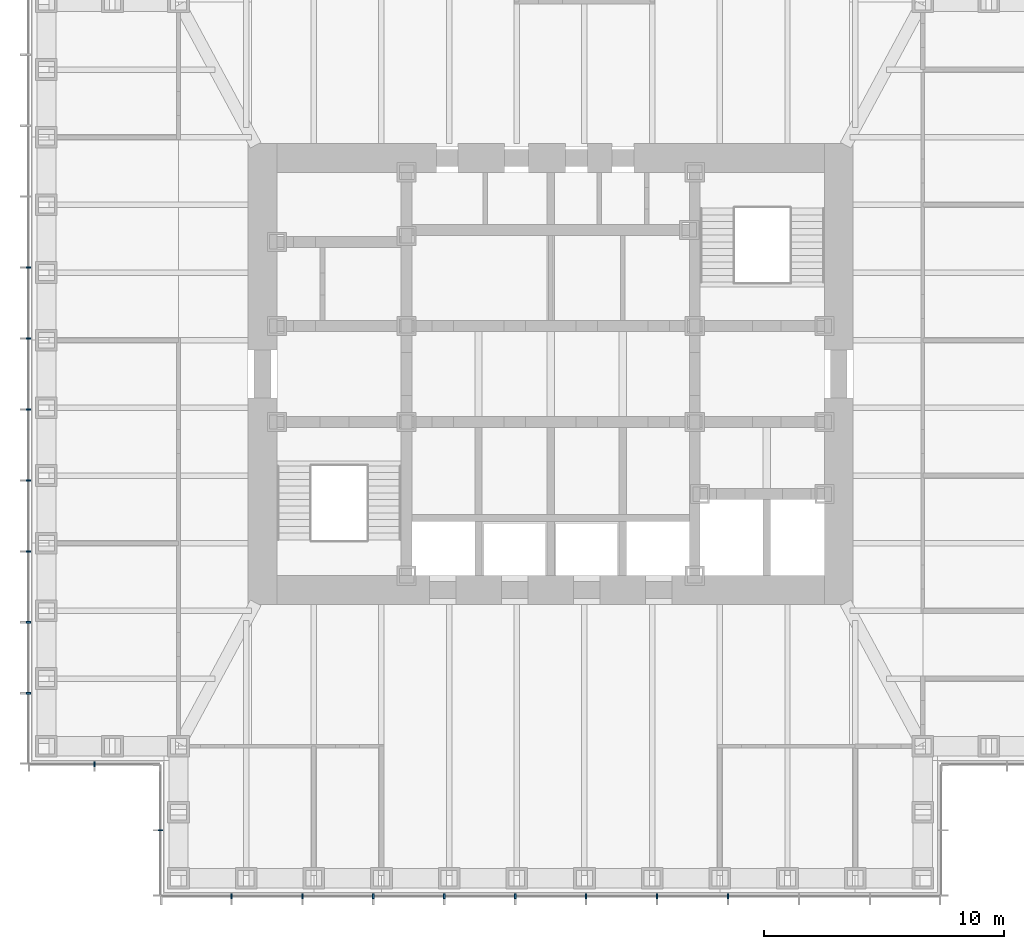
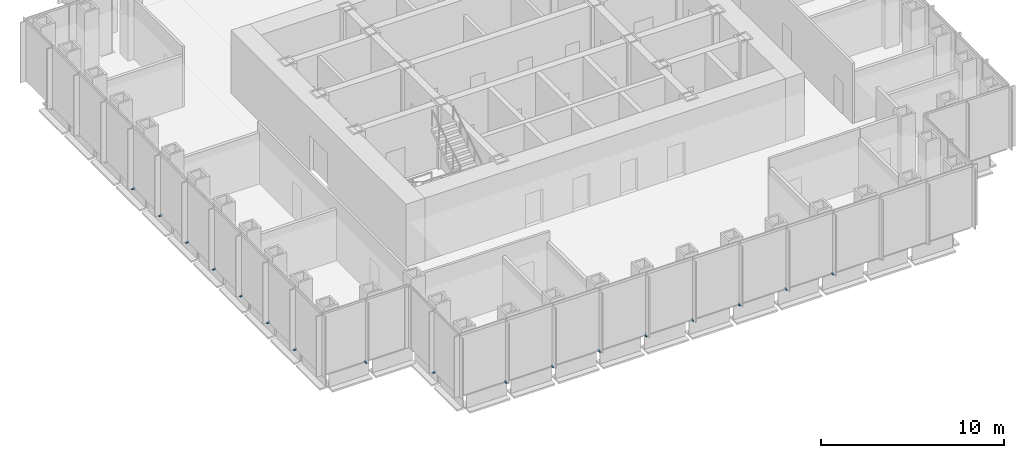
# One storey, part 11 of 16: 17 discrete accessories.
"""IFC4 building model written with IfcOpenShell, lengths in metres."""

from ifc_helpers import new_model, si_unit, direction, frame, origin, origin_2d, place, context, subcontext, project, spatial, rectangle, extrude, element, save


model = new_model("IFC4")

# Units and contexts
model_context = context("Model", 3, precision=1e-05, world=origin(), true_north=direction((0.0, 1.0)))
body_context = subcontext(model_context, "Body", "Model", "MODEL_VIEW")
ifc_project = project(units=[si_unit("LENGTHUNIT", "METRE"), si_unit("AREAUNIT", "SQUARE_METRE"), si_unit("VOLUMEUNIT", "CUBIC_METRE"), si_unit("PLANEANGLEUNIT", "RADIAN"), si_unit("MASSUNIT", "GRAM", prefix="KILO")], contexts=[model_context])

# Site, building, storey
site_placement = place(None, origin())
site = spatial("IfcSite", under=ifc_project, at=site_placement, CompositionType="ELEMENT")
building_placement = place(site_placement, origin())
building = spatial("IfcBuilding", under=site, at=building_placement, Name="Daluyong Arena Tower", CompositionType="ELEMENT")
storey_placement = place(building_placement, frame((0.0, 0.0, 202.300048828125)))
storey = spatial("IfcBuildingStorey", under=building, at=storey_placement, Name="L45", CompositionType="ELEMENT", Elevation=202.300048828125)

# Discrete accessories
for number, where, z_axis, x_axis, name in (
    (1, (42.70458984375, 58.25, -0.10009765625), (0.0, 0.0, 1.0), (1.0, 0.0, 0.0), "curtain wall L45 S anchor bracket 2"),
    (2, (45.6591796875, 58.25, -0.10009765625), (0.0, 0.0, 1.0), (1.0, 0.0, 0.0), "curtain wall L45 S anchor bracket 3"),
    (3, (48.613525390625, 58.25, -0.10009765625), (0.0, 0.0, 1.0), (1.0, 0.0, 0.0), "curtain wall L45 S anchor bracket 4"),
    (4, (51.568115234375, 58.25, -0.10009765625), (0.0, 0.0, 1.0), (1.0, 0.0, 0.0), "curtain wall L45 S anchor bracket 5"),
    (5, (54.522705078125, 58.25, -0.10009765625), (0.0, 0.0, 1.0), (1.0, 0.0, 0.0), "curtain wall L45 S anchor bracket 6"),
    (6, (57.477294921875, 58.25, -0.10009765625), (0.0, 0.0, 1.0), (1.0, 0.0, 0.0), "curtain wall L45 S anchor bracket 7"),
    (7, (60.431884765625, 58.25, -0.10009765625), (0.0, 0.0, 1.0), (1.0, 0.0, 0.0), "curtain wall L45 S anchor bracket 8"),
    (8, (63.386474609375, 58.25, -0.10009765625), (0.0, 0.0, 1.0), (1.0, 0.0, 0.0), "curtain wall L45 S anchor bracket 9"),
    (9, (34.25, 84.431884765625, -0.10009765625), (0.0, 0.0, 1.0), (0.0, -1.0, 0.0), "curtain wall L45 W anchor bracket 5"),
    (10, (34.25, 81.477294921875, -0.10009765625), (0.0, 0.0, 1.0), (0.0, -1.0, 0.0), "curtain wall L45 W anchor bracket 6"),
    (11, (34.25, 78.522705078125, -0.10009765625), (0.0, 0.0, 1.0), (0.0, -1.0, 0.0), "curtain wall L45 W anchor bracket 7"),
    (12, (34.25, 75.568115234375, -0.10009765625), (0.0, 0.0, 1.0), (0.0, -1.0, 0.0), "curtain wall L45 W anchor bracket 8"),
    (13, (34.25, 72.613525390625, -0.10009765625), (0.0, 0.0, 1.0), (0.0, -1.0, 0.0), "curtain wall L45 W anchor bracket 9"),
    (14, (34.25, 69.6591796875, -0.10009765625), (0.0, 0.0, 1.0), (0.0, -1.0, 0.0), "curtain wall L45 W anchor bracket 10"),
    (15, (34.25, 66.70458984375, -0.10009765625), (0.0, 0.0, 1.0), (0.0, -1.0, 0.0), "curtain wall L45 W anchor bracket 11"),
):
    element("IfcDiscreteAccessory", number, at=place(storey_placement, frame(where, z_axis=z_axis, x_axis=x_axis)), inside=storey, Name=name, PredefinedType="BRACKET", context=body_context, shape_type="SweptSolid", body=[
        extrude(rectangle(XDim=0.070068359375, YDim=0.199951171875, at=origin_2d()), origin(), (0.0, 0.0, 1.0), 0.10009765625),
    ])
for number, where, z_axis, x_axis, name in (
    (16, (37.0, 63.75, -0.10009765625), (0.0, 0.0, 1.0), (1.0, 0.0, 0.0), "curtain wall L45 SW-S anchor bracket 2"),
    (17, (39.75, 61.0, -0.10009765625), (0.0, 0.0, 1.0), (0.0, -1.0, 0.0), "curtain wall L45 SW-W anchor bracket 2"),
):
    element("IfcDiscreteAccessory", number, at=place(storey_placement, frame(where, z_axis=z_axis, x_axis=x_axis)), inside=storey, Name=name, PredefinedType="BRACKET", context=body_context, shape_type="SweptSolid", body=[
        extrude(rectangle(XDim=0.06005859375, YDim=0.199951171875, at=origin_2d()), origin(), (0.0, 0.0, 1.0), 0.10009765625),
    ])

save(model, "model.ifc")
